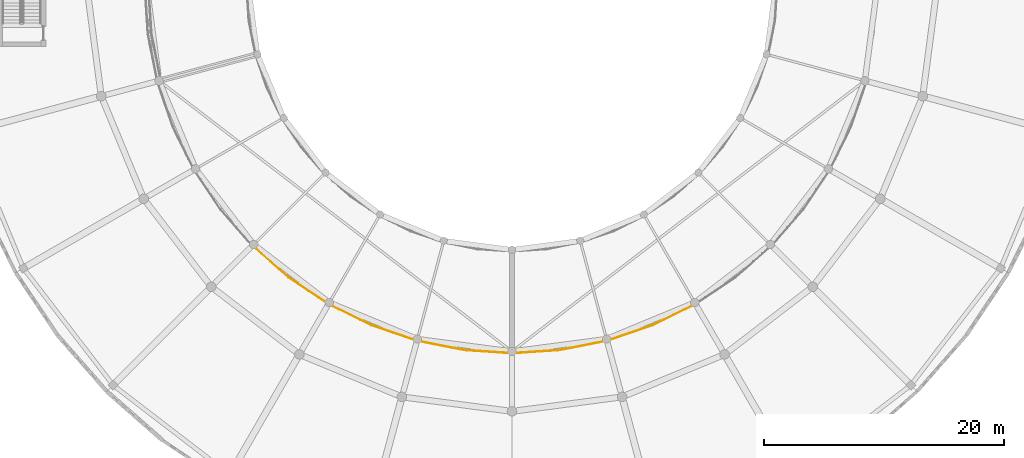
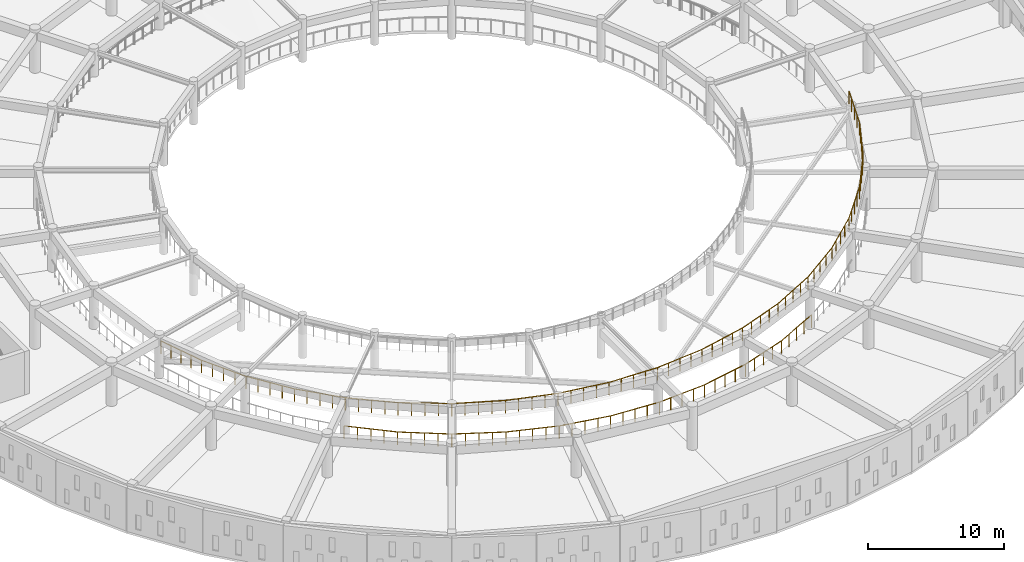
# One storey, part 77 of 98: 2 railings.
"""IFC4 building model written with IfcOpenShell, lengths in metres."""

from ifc_helpers import new_model, si_unit, direction, frame, origin, origin_2d, place, context, subcontext, project, spatial, circle, extrude, material, type_object, element, save


model = new_model("IFC4")

# Units and contexts
model_context = context("Model", 3, precision=1e-05, world=origin(), true_north=direction((0.0, 1.0)))
body_context = subcontext(model_context, "Body", "Model", "MODEL_VIEW")
ifc_project = project(units=[si_unit("LENGTHUNIT", "METRE"), si_unit("AREAUNIT", "SQUARE_METRE"), si_unit("VOLUMEUNIT", "CUBIC_METRE"), si_unit("PLANEANGLEUNIT", "RADIAN"), si_unit("MASSUNIT", "GRAM", prefix="KILO")], contexts=[model_context])

# Site, building, storey
site_placement = place(None, origin())
site = spatial("IfcSite", under=ifc_project, at=site_placement, CompositionType="ELEMENT")
building_placement = place(site_placement, origin())
building = spatial("IfcBuilding", under=site, at=building_placement, Name="Larkveld Mobility Hub", CompositionType="ELEMENT")
storey_placement = place(building_placement, frame((0.0, 0.0, 4.5)))
storey = spatial("IfcBuildingStorey", under=building, at=storey_placement, Name="L01", CompositionType="ELEMENT", Elevation=4.5)

# Railings
ifc_material_1 = material(Name="Anodized aluminium 6063-T6 balustrade", Category="aluminium")
railing_type_1 = type_object("IfcRailingType", Name="RL-GRD-1150", PredefinedType="GUARDRAIL", material=ifc_material_1)
railing_1_placement = place(storey_placement, frame((26.326904296875, 26.326904296875, 0.0)))
element("IfcRailing", 1, at=railing_1_placement, inside=storey, type_object=railing_type_1, Name="Drum Ramp Well Guardrail L01-040", PredefinedType="GUARDRAIL", context=body_context, shape_type="SweptSolid", body=[
    extrude(circle(Radius=0.02392578125, at=origin_2d()), frame((0.0, 0.0, 1.1259765625), z_axis=(0.75190475676, -0.65927174728, 0.0), x_axis=(0.65927174728, 0.75190475676, 0.0)), (0.0, 0.0, 1.0), 4.0087890625),
    extrude(circle(Radius=0.02392578125, at=origin_2d()), frame((3.01416015625, -2.642822265625, 1.1259765625), z_axis=(0.831431571078, -0.555627161516, 0.0), x_axis=(0.555627161516, 0.831431571078, 0.0)), (0.0, 0.0, 1.0), 4.010009765625),
    extrude(circle(Radius=0.02392578125, at=origin_2d()), frame((6.34814453125, -4.870849609375, 1.1259765625), z_axis=(0.89690991287, -0.442213306217, 0.0), x_axis=(0.442213306217, 0.89690991287, 0.0)), (0.0, 0.0, 1.0), 4.00927734375),
    extrude(circle(Radius=0.02392578125, at=origin_2d()), frame((9.944091796875, -6.643798828125, 1.1259765625), z_axis=(0.946889985865, -0.321557700371, 0.0), x_axis=(0.321557700371, 0.946889985865, 0.0)), (0.0, 0.0, 1.0), 4.0087890625),
    extrude(circle(Radius=0.02392578125, at=origin_2d()), frame((13.739990234375, -7.932861328125, 1.1259765625), z_axis=(0.980793233096, -0.195050336869, 0.0), x_axis=(0.195050336869, 0.980793233096, 0.0)), (0.0, 0.0, 1.0), 4.009033203125),
    extrude(circle(Radius=0.02392578125, at=origin_2d()), frame((17.672119140625, -8.71484375, 1.1259765625), z_axis=(0.997863396539, -0.065334844062, 0.0), x_axis=(0.065334844062, 0.997863396539, 0.0)), (0.0, 0.0, 1.0), 4.009521484375),
    extrude(circle(Radius=0.02392578125, at=origin_2d()), frame((21.673095703125, -8.976806640625, 1.1259765625), z_axis=(0.997863396539, 0.065334844062, 0.0), x_axis=(-0.065334844062, 0.997863396539, 0.0)), (0.0, 0.0, 1.0), 4.009521484375),
    extrude(circle(Radius=0.02392578125, at=origin_2d()), frame((25.674072265625, -8.71484375, 1.1259765625), z_axis=(0.980793233096, 0.195050336869, 0.0), x_axis=(-0.195050336869, 0.980793233096, 0.0)), (0.0, 0.0, 1.0), 4.009033203125),
    extrude(circle(Radius=0.02392578125, at=origin_2d()), frame((29.606201171875, -7.932861328125, 1.1259765625), z_axis=(0.946889985865, 0.321557700371, 0.0), x_axis=(-0.321557700371, 0.946889985865, 0.0)), (0.0, 0.0, 1.0), 4.0087890625),
    extrude(circle(Radius=0.02392578125, at=origin_2d()), frame((33.402099609375, -6.643798828125, 1.1259765625), z_axis=(0.89690991287, 0.442213306217, 0.0), x_axis=(-0.442213306217, 0.89690991287, 0.0)), (0.0, 0.0, 1.0), 4.00927734375),
    extrude(circle(Radius=0.02099609375, at=origin_2d()), origin(), (0.0, 0.0, 1.0), 1.101806640625),
    extrude(circle(Radius=0.02099609375, at=origin_2d()), frame((0.75341796875, -0.66064453125, 0.0)), (0.0, 0.0, 1.0), 1.101806640625),
    extrude(circle(Radius=0.02099609375, at=origin_2d()), frame((1.507080078125, -1.3212890625, 0.0)), (0.0, 0.0, 1.0), 1.101806640625),
    extrude(circle(Radius=0.02099609375, at=origin_2d()), frame((2.2607421875, -1.982177734375, 0.0)), (0.0, 0.0, 1.0), 1.101806640625),
    extrude(circle(Radius=0.02099609375, at=origin_2d()), frame((3.01416015625, -2.642822265625, 0.0)), (0.0, 0.0, 1.0), 1.101806640625),
    extrude(circle(Radius=0.02099609375, at=origin_2d()), frame((3.84765625, -3.19970703125, 0.0)), (0.0, 0.0, 1.0), 1.101806640625),
    extrude(circle(Radius=0.02099609375, at=origin_2d()), frame((4.68115234375, -3.7568359375, 0.0)), (0.0, 0.0, 1.0), 1.101806640625),
    extrude(circle(Radius=0.02099609375, at=origin_2d()), frame((5.5146484375, -4.31396484375, 0.0)), (0.0, 0.0, 1.0), 1.101806640625),
    extrude(circle(Radius=0.02099609375, at=origin_2d()), frame((6.34814453125, -4.870849609375, 0.0)), (0.0, 0.0, 1.0), 1.101806640625),
    extrude(circle(Radius=0.02099609375, at=origin_2d()), frame((7.2470703125, -5.31396484375, 0.0)), (0.0, 0.0, 1.0), 1.101806640625),
    extrude(circle(Radius=0.02099609375, at=origin_2d()), frame((8.14599609375, -5.75732421875, 0.0)), (0.0, 0.0, 1.0), 1.101806640625),
    extrude(circle(Radius=0.02099609375, at=origin_2d()), frame((9.045166015625, -6.20068359375, 0.0)), (0.0, 0.0, 1.0), 1.101806640625),
    extrude(circle(Radius=0.02099609375, at=origin_2d()), frame((9.944091796875, -6.643798828125, 0.0)), (0.0, 0.0, 1.0), 1.101806640625),
    extrude(circle(Radius=0.02099609375, at=origin_2d()), frame((10.89306640625, -6.966064453125, 0.0)), (0.0, 0.0, 1.0), 1.101806640625),
    extrude(circle(Radius=0.02099609375, at=origin_2d()), frame((11.842041015625, -7.288330078125, 0.0)), (0.0, 0.0, 1.0), 1.101806640625),
    extrude(circle(Radius=0.02099609375, at=origin_2d()), frame((12.791015625, -7.610595703125, 0.0)), (0.0, 0.0, 1.0), 1.101806640625),
    extrude(circle(Radius=0.02099609375, at=origin_2d()), frame((13.739990234375, -7.932861328125, 0.0)), (0.0, 0.0, 1.0), 1.101806640625),
    extrude(circle(Radius=0.02099609375, at=origin_2d()), frame((14.72314453125, -8.12841796875, 0.0)), (0.0, 0.0, 1.0), 1.101806640625),
    extrude(circle(Radius=0.02099609375, at=origin_2d()), frame((15.7060546875, -8.32373046875, 0.0)), (0.0, 0.0, 1.0), 1.101806640625),
    extrude(circle(Radius=0.02099609375, at=origin_2d()), frame((16.68896484375, -8.519287109375, 0.0)), (0.0, 0.0, 1.0), 1.101806640625),
    extrude(circle(Radius=0.02099609375, at=origin_2d()), frame((17.672119140625, -8.71484375, 0.0)), (0.0, 0.0, 1.0), 1.101806640625),
    extrude(circle(Radius=0.02099609375, at=origin_2d()), frame((18.67236328125, -8.7802734375, 0.0)), (0.0, 0.0, 1.0), 1.101806640625),
    extrude(circle(Radius=0.02099609375, at=origin_2d()), frame((19.672607421875, -8.845703125, 0.0)), (0.0, 0.0, 1.0), 1.101806640625),
    extrude(circle(Radius=0.02099609375, at=origin_2d()), frame((20.6728515625, -8.911376953125, 0.0)), (0.0, 0.0, 1.0), 1.101806640625),
    extrude(circle(Radius=0.02099609375, at=origin_2d()), frame((21.673095703125, -8.976806640625, 0.0)), (0.0, 0.0, 1.0), 1.101806640625),
    extrude(circle(Radius=0.02099609375, at=origin_2d()), frame((22.67333984375, -8.911376953125, 0.0)), (0.0, 0.0, 1.0), 1.101806640625),
    extrude(circle(Radius=0.02099609375, at=origin_2d()), frame((23.673583984375, -8.845703125, 0.0)), (0.0, 0.0, 1.0), 1.101806640625),
    extrude(circle(Radius=0.02099609375, at=origin_2d()), frame((24.673828125, -8.7802734375, 0.0)), (0.0, 0.0, 1.0), 1.101806640625),
    extrude(circle(Radius=0.02099609375, at=origin_2d()), frame((25.674072265625, -8.71484375, 0.0)), (0.0, 0.0, 1.0), 1.101806640625),
    extrude(circle(Radius=0.02099609375, at=origin_2d()), frame((26.6572265625, -8.519287109375, 0.0)), (0.0, 0.0, 1.0), 1.101806640625),
    extrude(circle(Radius=0.02099609375, at=origin_2d()), frame((27.64013671875, -8.32373046875, 0.0)), (0.0, 0.0, 1.0), 1.101806640625),
    extrude(circle(Radius=0.02099609375, at=origin_2d()), frame((28.623046875, -8.12841796875, 0.0)), (0.0, 0.0, 1.0), 1.101806640625),
    extrude(circle(Radius=0.02099609375, at=origin_2d()), frame((29.606201171875, -7.932861328125, 0.0)), (0.0, 0.0, 1.0), 1.101806640625),
    extrude(circle(Radius=0.02099609375, at=origin_2d()), frame((30.55517578125, -7.610595703125, 0.0)), (0.0, 0.0, 1.0), 1.101806640625),
    extrude(circle(Radius=0.02099609375, at=origin_2d()), frame((31.504150390625, -7.288330078125, 0.0)), (0.0, 0.0, 1.0), 1.101806640625),
    extrude(circle(Radius=0.02099609375, at=origin_2d()), frame((32.453125, -6.966064453125, 0.0)), (0.0, 0.0, 1.0), 1.101806640625),
    extrude(circle(Radius=0.02099609375, at=origin_2d()), frame((33.402099609375, -6.643798828125, 0.0)), (0.0, 0.0, 1.0), 1.101806640625),
    extrude(circle(Radius=0.02099609375, at=origin_2d()), frame((34.301025390625, -6.20068359375, 0.0)), (0.0, 0.0, 1.0), 1.101806640625),
    extrude(circle(Radius=0.02099609375, at=origin_2d()), frame((35.2001953125, -5.75732421875, 0.0)), (0.0, 0.0, 1.0), 1.101806640625),
    extrude(circle(Radius=0.02099609375, at=origin_2d()), frame((36.09912109375, -5.31396484375, 0.0)), (0.0, 0.0, 1.0), 1.101806640625),
    extrude(circle(Radius=0.02099609375, at=origin_2d()), frame((36.998046875, -4.870849609375, 0.0)), (0.0, 0.0, 1.0), 1.101806640625),
])
ifc_material_2 = material(Name="Galvanized Steel S355JR vehicle-deck guard", Category="steel")
railing_type_2 = type_object("IfcRailingType", Name="RL-GRD-RMP", PredefinedType="GUARDRAIL", material=ifc_material_2)
railing_2_placement = place(storey_placement, frame((18.68408203125, 40.14501953125, 1.949951171875)))
element("IfcRailing", 2, at=railing_2_placement, inside=storey, type_object=railing_type_2, Name="Helical Ramp Outer Sloped Guard T2 L01-013", PredefinedType="GUARDRAIL", context=body_context, shape_type="SweptSolid", body=[
    extrude(circle(Radius=0.02392578125, at=origin_2d()), frame((0.0, 0.0, 1.1259765625), z_axis=(0.321309446175, -0.946651653801, 0.024716111244), x_axis=(0.94694093454, 0.321407632909, 0.0)), (0.0, 0.0, 1.0), 3.970947265625),
    extrude(circle(Radius=0.02392578125, at=origin_2d()), frame((1.27587890625, -3.759033203125, 1.22412109375), z_axis=(0.442156021417, -0.896606107102, 0.024403717573), x_axis=(0.896873209453, 0.442287741368, 0.0)), (0.0, 0.0, 1.0), 3.9716796875),
    extrude(circle(Radius=0.02392578125, at=origin_2d()), frame((3.031982421875, -7.320068359375, 1.32080078125), z_axis=(0.555467564379, -0.831172746566, 0.024650563669), x_axis=(0.831425392892, 0.555636406344, 0.0)), (0.0, 0.0, 1.0), 3.971435546875),
    extrude(circle(Radius=0.02392578125, at=origin_2d()), frame((5.238037109375, -10.62109375, 1.4189453125), z_axis=(0.659047084219, -0.751703484621, 0.024470635276), x_axis=(0.75192865028, 0.659244495531, 0.0)), (0.0, 0.0, 1.0), 3.970703125),
    extrude(circle(Radius=0.02392578125, at=origin_2d()), frame((7.85498046875, -13.60595703125, 1.51611328125), z_axis=(0.751700078925, -0.659044098314, 0.024654975597), x_axis=(0.659244495531, 0.75192865028, 0.0)), (0.0, 0.0, 1.0), 3.970703125),
    extrude(circle(Radius=0.02392578125, at=origin_2d()), frame((10.83984375, -16.222900390625, 1.61376953125), z_axis=(0.831177759512, -0.5554709145, 0.024404819949), x_axis=(0.555636406344, 0.831425392892, 0.0)), (0.0, 0.0, 1.0), 3.971435546875),
    extrude(circle(Radius=0.02392578125, at=origin_2d()), frame((14.140869140625, -18.428955078125, 1.7109375), z_axis=(0.896599339816, -0.44215268417, 0.024710882669), x_axis=(0.442287741368, 0.896873209453, 0.0)), (0.0, 0.0, 1.0), 3.9716796875),
    extrude(circle(Radius=0.02392578125, at=origin_2d()), frame((17.701904296875, -20.18505859375, 1.80908203125), z_axis=(0.946658801892, -0.321311872357, 0.024408881233), x_axis=(0.321407632909, 0.94694093454, 0.0)), (0.0, 0.0, 1.0), 3.970947265625),
    extrude(circle(Radius=0.02392578125, at=origin_2d()), frame((21.4609375, -21.4609375, 1.90576171875), z_axis=(0.98050666759, -0.194933331845, 0.024650982677), x_axis=(0.194992586513, 0.980804716141, 0.0)), (0.0, 0.0, 1.0), 3.971435546875),
    extrude(circle(Radius=0.02392578125, at=origin_2d()), frame((25.35498046875, -22.235107421875, 2.00390625), z_axis=(0.997553574235, -0.065482899196, 0.024471543549), x_axis=(0.065502515435, 0.997852404152, 0.0)), (0.0, 0.0, 1.0), 3.970703125),
    extrude(circle(Radius=0.02392578125, at=origin_2d()), frame((29.31591796875, -22.4951171875, 2.10107421875), z_axis=(0.997549054345, 0.065482602495, 0.024655890705), x_axis=(-0.065502515435, 0.997852404152, 0.0)), (0.0, 0.0, 1.0), 3.970703125),
    extrude(circle(Radius=0.02392578125, at=origin_2d()), frame((33.27685546875, -22.235107421875, 2.19873046875), z_axis=(0.980511108493, 0.194934214736, 0.024466672174), x_axis=(-0.194992586513, 0.980804716141, 0.0)), (0.0, 0.0, 1.0), 3.971435546875),
    extrude(circle(Radius=0.02392578125, at=origin_2d()), frame((37.1708984375, -21.4609375, 2.2958984375), z_axis=(0.946653090563, 0.321309933837, 0.0246546658), x_axis=(-0.321407632909, 0.94694093454, 0.0)), (0.0, 0.0, 1.0), 3.970947265625),
    extrude(circle(Radius=0.02392578125, at=origin_2d()), frame((40.929931640625, -20.18505859375, 2.39404296875), z_axis=(0.896606107102, 0.442156021417, 0.024403717573), x_axis=(-0.442287741368, 0.896873209453, 0.0)), (0.0, 0.0, 1.0), 3.9716796875),
    extrude(circle(Radius=0.02392578125, at=origin_2d()), frame((44.490966796875, -18.428955078125, 2.49072265625), z_axis=(0.831171485491, 0.555466721611, 0.024711998903), x_axis=(-0.555636406344, 0.831425392892, 0.0)), (0.0, 0.0, 1.0), 3.971435546875),
    extrude(circle(Radius=0.02392578125, at=origin_2d()), frame((47.7919921875, -16.222900390625, 2.5888671875), z_axis=(0.751704614181, 0.659048074546, 0.024409187946), x_axis=(-0.659244495531, 0.75192865028, 0.0)), (0.0, 0.0, 1.0), 3.970703125),
    extrude(circle(Radius=0.02392578125, at=origin_2d()), frame((50.77685546875, -13.60595703125, 2.68603515625), z_axis=(0.659048074546, 0.751704614181, 0.024409187946), x_axis=(-0.75192865028, 0.659244495531, 0.0)), (0.0, 0.0, 1.0), 3.970703125),
    extrude(circle(Radius=0.02392578125, at=origin_2d()), frame((53.393798828125, -10.62109375, 2.78271484375), z_axis=(0.555466721611, 0.831171485491, 0.024711998903), x_axis=(-0.831425392892, 0.555636406344, 0.0)), (0.0, 0.0, 1.0), 3.971435546875),
    extrude(circle(Radius=0.02392578125, at=origin_2d()), frame((55.599853515625, -7.320068359375, 2.880859375), z_axis=(0.442153354955, 0.896600700037, 0.024649450207), x_axis=(-0.896873209453, 0.442287741368, 0.0)), (0.0, 0.0, 1.0), 3.9716796875),
    extrude(circle(Radius=0.02392578125, at=origin_2d()), frame((57.35595703125, -3.759033203125, 2.97900390625), z_axis=(0.321311872357, 0.946658801892, 0.024408881233), x_axis=(-0.94694093454, 0.321407632909, 0.0)), (0.0, 0.0, 1.0), 3.970947265625),
    extrude(circle(Radius=0.02099609375, at=origin_2d()), origin(), (0.0, 0.0, 1.0), 1.101806640625),
    extrude(circle(Radius=0.02099609375, at=origin_2d()), frame((0.31884765625, -0.939697265625, 0.0244140625)), (0.0, 0.0, 1.0), 1.101806640625),
    extrude(circle(Radius=0.02099609375, at=origin_2d()), frame((0.637939453125, -1.87939453125, 0.049072265625)), (0.0, 0.0, 1.0), 1.101806640625),
    extrude(circle(Radius=0.02099609375, at=origin_2d()), frame((0.95703125, -2.8193359375, 0.07373046875)), (0.0, 0.0, 1.0), 1.101806640625),
    extrude(circle(Radius=0.02099609375, at=origin_2d()), frame((1.27587890625, -3.759033203125, 0.09814453125)), (0.0, 0.0, 1.0), 1.101806640625),
    extrude(circle(Radius=0.02099609375, at=origin_2d()), frame((1.71484375, -4.6494140625, 0.122314453125)), (0.0, 0.0, 1.0), 1.101806640625),
    extrude(circle(Radius=0.02099609375, at=origin_2d()), frame((2.15380859375, -5.53955078125, 0.146484375)), (0.0, 0.0, 1.0), 1.101806640625),
    extrude(circle(Radius=0.02099609375, at=origin_2d()), frame((2.593017578125, -6.4296875, 0.1708984375)), (0.0, 0.0, 1.0), 1.101806640625),
    extrude(circle(Radius=0.02099609375, at=origin_2d()), frame((3.031982421875, -7.320068359375, 0.195068359375)), (0.0, 0.0, 1.0), 1.101806640625),
    extrude(circle(Radius=0.02099609375, at=origin_2d()), frame((3.58349609375, -8.145263671875, 0.219482421875)), (0.0, 0.0, 1.0), 1.101806640625),
    extrude(circle(Radius=0.02099609375, at=origin_2d()), frame((4.135009765625, -8.970703125, 0.244140625)), (0.0, 0.0, 1.0), 1.101806640625),
    extrude(circle(Radius=0.02099609375, at=origin_2d()), frame((4.6865234375, -9.7958984375, 0.2685546875)), (0.0, 0.0, 1.0), 1.101806640625),
    extrude(circle(Radius=0.02099609375, at=origin_2d()), frame((5.238037109375, -10.62109375, 0.29296875)), (0.0, 0.0, 1.0), 1.101806640625),
    extrude(circle(Radius=0.02099609375, at=origin_2d()), frame((5.892333984375, -11.3671875, 0.3173828125)), (0.0, 0.0, 1.0), 1.101806640625),
    extrude(circle(Radius=0.02099609375, at=origin_2d()), frame((6.54638671875, -12.113525390625, 0.341552734375)), (0.0, 0.0, 1.0), 1.101806640625),
    extrude(circle(Radius=0.02099609375, at=origin_2d()), frame((7.20068359375, -12.85986328125, 0.36572265625)), (0.0, 0.0, 1.0), 1.101806640625),
    extrude(circle(Radius=0.02099609375, at=origin_2d()), frame((7.85498046875, -13.60595703125, 0.39013671875)), (0.0, 0.0, 1.0), 1.101806640625),
    extrude(circle(Radius=0.02099609375, at=origin_2d()), frame((8.60107421875, -14.26025390625, 0.41455078125)), (0.0, 0.0, 1.0), 1.101806640625),
    extrude(circle(Radius=0.02099609375, at=origin_2d()), frame((9.347412109375, -14.91455078125, 0.43896484375)), (0.0, 0.0, 1.0), 1.101806640625),
    extrude(circle(Radius=0.02099609375, at=origin_2d()), frame((10.09375, -15.568603515625, 0.463623046875)), (0.0, 0.0, 1.0), 1.101806640625),
    extrude(circle(Radius=0.02099609375, at=origin_2d()), frame((10.83984375, -16.222900390625, 0.488037109375)), (0.0, 0.0, 1.0), 1.101806640625),
    extrude(circle(Radius=0.02099609375, at=origin_2d()), frame((11.6650390625, -16.7744140625, 0.51220703125)), (0.0, 0.0, 1.0), 1.101806640625),
    extrude(circle(Radius=0.02099609375, at=origin_2d()), frame((12.490234375, -17.325927734375, 0.53662109375)), (0.0, 0.0, 1.0), 1.101806640625),
    extrude(circle(Radius=0.02099609375, at=origin_2d()), frame((13.315673828125, -17.87744140625, 0.560791015625)), (0.0, 0.0, 1.0), 1.101806640625),
    extrude(circle(Radius=0.02099609375, at=origin_2d()), frame((14.140869140625, -18.428955078125, 0.5849609375)), (0.0, 0.0, 1.0), 1.101806640625),
    extrude(circle(Radius=0.02099609375, at=origin_2d()), frame((15.03125, -18.867919921875, 0.609375)), (0.0, 0.0, 1.0), 1.101806640625),
    extrude(circle(Radius=0.02099609375, at=origin_2d()), frame((15.92138671875, -19.30712890625, 0.634033203125)), (0.0, 0.0, 1.0), 1.101806640625),
    extrude(circle(Radius=0.02099609375, at=origin_2d()), frame((16.8115234375, -19.74609375, 0.65869140625)), (0.0, 0.0, 1.0), 1.101806640625),
    extrude(circle(Radius=0.02099609375, at=origin_2d()), frame((17.701904296875, -20.18505859375, 0.68310546875)), (0.0, 0.0, 1.0), 1.101806640625),
    extrude(circle(Radius=0.02099609375, at=origin_2d()), frame((18.6416015625, -20.50390625, 0.707275390625)), (0.0, 0.0, 1.0), 1.101806640625),
    extrude(circle(Radius=0.02099609375, at=origin_2d()), frame((19.58154296875, -20.822998046875, 0.7314453125)), (0.0, 0.0, 1.0), 1.101806640625),
    extrude(circle(Radius=0.02099609375, at=origin_2d()), frame((20.521240234375, -21.14208984375, 0.755859375)), (0.0, 0.0, 1.0), 1.101806640625),
    extrude(circle(Radius=0.02099609375, at=origin_2d()), frame((21.4609375, -21.4609375, 0.780029296875)), (0.0, 0.0, 1.0), 1.101806640625),
    extrude(circle(Radius=0.02099609375, at=origin_2d()), frame((22.4345703125, -21.654541015625, 0.804443359375)), (0.0, 0.0, 1.0), 1.101806640625),
    extrude(circle(Radius=0.02099609375, at=origin_2d()), frame((23.407958984375, -21.84814453125, 0.8291015625)), (0.0, 0.0, 1.0), 1.101806640625),
    extrude(circle(Radius=0.02099609375, at=origin_2d()), frame((24.38134765625, -22.04150390625, 0.853515625)), (0.0, 0.0, 1.0), 1.101806640625),
    extrude(circle(Radius=0.02099609375, at=origin_2d()), frame((25.35498046875, -22.235107421875, 0.8779296875)), (0.0, 0.0, 1.0), 1.101806640625),
    extrude(circle(Radius=0.02099609375, at=origin_2d()), frame((26.34521484375, -22.300048828125, 0.90234375)), (0.0, 0.0, 1.0), 1.101806640625),
    extrude(circle(Radius=0.02099609375, at=origin_2d()), frame((27.33544921875, -22.365234375, 0.926513671875)), (0.0, 0.0, 1.0), 1.101806640625),
    extrude(circle(Radius=0.02099609375, at=origin_2d()), frame((28.32568359375, -22.43017578125, 0.95068359375)), (0.0, 0.0, 1.0), 1.101806640625),
    extrude(circle(Radius=0.02099609375, at=origin_2d()), frame((29.31591796875, -22.4951171875, 0.97509765625)), (0.0, 0.0, 1.0), 1.101806640625),
    extrude(circle(Radius=0.02099609375, at=origin_2d()), frame((30.30615234375, -22.43017578125, 0.99951171875)), (0.0, 0.0, 1.0), 1.101806640625),
    extrude(circle(Radius=0.02099609375, at=origin_2d()), frame((31.29638671875, -22.365234375, 1.02392578125)), (0.0, 0.0, 1.0), 1.101806640625),
    extrude(circle(Radius=0.02099609375, at=origin_2d()), frame((32.28662109375, -22.300048828125, 1.048583984375)), (0.0, 0.0, 1.0), 1.101806640625),
    extrude(circle(Radius=0.02099609375, at=origin_2d()), frame((33.27685546875, -22.235107421875, 1.072998046875)), (0.0, 0.0, 1.0), 1.101806640625),
    extrude(circle(Radius=0.02099609375, at=origin_2d()), frame((34.25048828125, -22.04150390625, 1.09716796875)), (0.0, 0.0, 1.0), 1.101806640625),
    extrude(circle(Radius=0.02099609375, at=origin_2d()), frame((35.223876953125, -21.84814453125, 1.12158203125)), (0.0, 0.0, 1.0), 1.101806640625),
    extrude(circle(Radius=0.02099609375, at=origin_2d()), frame((36.197265625, -21.654541015625, 1.14599609375)), (0.0, 0.0, 1.0), 1.101806640625),
    extrude(circle(Radius=0.02099609375, at=origin_2d()), frame((37.1708984375, -21.4609375, 1.170166015625)), (0.0, 0.0, 1.0), 1.101806640625),
    extrude(circle(Radius=0.02099609375, at=origin_2d()), frame((38.110595703125, -21.14208984375, 1.194580078125)), (0.0, 0.0, 1.0), 1.101806640625),
    extrude(circle(Radius=0.02099609375, at=origin_2d()), frame((39.05029296875, -20.822998046875, 1.21923828125)), (0.0, 0.0, 1.0), 1.101806640625),
    extrude(circle(Radius=0.02099609375, at=origin_2d()), frame((39.990234375, -20.50390625, 1.24365234375)), (0.0, 0.0, 1.0), 1.101806640625),
    extrude(circle(Radius=0.02099609375, at=origin_2d()), frame((40.929931640625, -20.18505859375, 1.26806640625)), (0.0, 0.0, 1.0), 1.101806640625),
    extrude(circle(Radius=0.02099609375, at=origin_2d()), frame((41.8203125, -19.74609375, 1.292236328125)), (0.0, 0.0, 1.0), 1.101806640625),
    extrude(circle(Radius=0.02099609375, at=origin_2d()), frame((42.71044921875, -19.30712890625, 1.31640625)), (0.0, 0.0, 1.0), 1.101806640625),
    extrude(circle(Radius=0.02099609375, at=origin_2d()), frame((43.6005859375, -18.867919921875, 1.3408203125)), (0.0, 0.0, 1.0), 1.101806640625),
    extrude(circle(Radius=0.02099609375, at=origin_2d()), frame((44.490966796875, -18.428955078125, 1.364990234375)), (0.0, 0.0, 1.0), 1.101806640625),
    extrude(circle(Radius=0.02099609375, at=origin_2d()), frame((45.316162109375, -17.87744140625, 1.3896484375)), (0.0, 0.0, 1.0), 1.101806640625),
    extrude(circle(Radius=0.02099609375, at=origin_2d()), frame((46.1416015625, -17.325927734375, 1.4140625)), (0.0, 0.0, 1.0), 1.101806640625),
    extrude(circle(Radius=0.02099609375, at=origin_2d()), frame((46.966796875, -16.7744140625, 1.4384765625)), (0.0, 0.0, 1.0), 1.101806640625),
    extrude(circle(Radius=0.02099609375, at=origin_2d()), frame((47.7919921875, -16.222900390625, 1.463134765625)), (0.0, 0.0, 1.0), 1.101806640625),
    extrude(circle(Radius=0.02099609375, at=origin_2d()), frame((48.5380859375, -15.568603515625, 1.4873046875)), (0.0, 0.0, 1.0), 1.101806640625),
    extrude(circle(Radius=0.02099609375, at=origin_2d()), frame((49.284423828125, -14.91455078125, 1.51171875)), (0.0, 0.0, 1.0), 1.101806640625),
    extrude(circle(Radius=0.02099609375, at=origin_2d()), frame((50.03076171875, -14.26025390625, 1.535888671875)), (0.0, 0.0, 1.0), 1.101806640625),
    extrude(circle(Radius=0.02099609375, at=origin_2d()), frame((50.77685546875, -13.60595703125, 1.56005859375)), (0.0, 0.0, 1.0), 1.101806640625),
    extrude(circle(Radius=0.02099609375, at=origin_2d()), frame((51.43115234375, -12.85986328125, 1.584228515625)), (0.0, 0.0, 1.0), 1.101806640625),
    extrude(circle(Radius=0.02099609375, at=origin_2d()), frame((52.08544921875, -12.113525390625, 1.6083984375)), (0.0, 0.0, 1.0), 1.101806640625),
    extrude(circle(Radius=0.02099609375, at=origin_2d()), frame((52.739501953125, -11.3671875, 1.6328125)), (0.0, 0.0, 1.0), 1.101806640625),
    extrude(circle(Radius=0.02099609375, at=origin_2d()), frame((53.393798828125, -10.62109375, 1.656982421875)), (0.0, 0.0, 1.0), 1.101806640625),
    extrude(circle(Radius=0.02099609375, at=origin_2d()), frame((53.9453125, -9.7958984375, 1.681640625)), (0.0, 0.0, 1.0), 1.101806640625),
    extrude(circle(Radius=0.02099609375, at=origin_2d()), frame((54.496826171875, -8.970703125, 1.7060546875)), (0.0, 0.0, 1.0), 1.101806640625),
    extrude(circle(Radius=0.02099609375, at=origin_2d()), frame((55.04833984375, -8.145263671875, 1.73046875)), (0.0, 0.0, 1.0), 1.101806640625),
    extrude(circle(Radius=0.02099609375, at=origin_2d()), frame((55.599853515625, -7.320068359375, 1.755126953125)), (0.0, 0.0, 1.0), 1.101806640625),
    extrude(circle(Radius=0.02099609375, at=origin_2d()), frame((56.038818359375, -6.4296875, 1.779541015625)), (0.0, 0.0, 1.0), 1.101806640625),
    extrude(circle(Radius=0.02099609375, at=origin_2d()), frame((56.47802734375, -5.53955078125, 1.80419921875)), (0.0, 0.0, 1.0), 1.101806640625),
    extrude(circle(Radius=0.02099609375, at=origin_2d()), frame((56.9169921875, -4.6494140625, 1.82861328125)), (0.0, 0.0, 1.0), 1.101806640625),
    extrude(circle(Radius=0.02099609375, at=origin_2d()), frame((57.35595703125, -3.759033203125, 1.85302734375)), (0.0, 0.0, 1.0), 1.101806640625),
    extrude(circle(Radius=0.02099609375, at=origin_2d()), frame((57.6748046875, -2.8193359375, 1.877197265625)), (0.0, 0.0, 1.0), 1.101806640625),
    extrude(circle(Radius=0.02099609375, at=origin_2d()), frame((57.993896484375, -1.87939453125, 1.9013671875)), (0.0, 0.0, 1.0), 1.101806640625),
    extrude(circle(Radius=0.02099609375, at=origin_2d()), frame((58.31298828125, -0.939697265625, 1.92578125)), (0.0, 0.0, 1.0), 1.101806640625),
    extrude(circle(Radius=0.02099609375, at=origin_2d()), frame((58.6318359375, 0.0, 1.949951171875)), (0.0, 0.0, 1.0), 1.101806640625),
])

save(model, "model.ifc")
